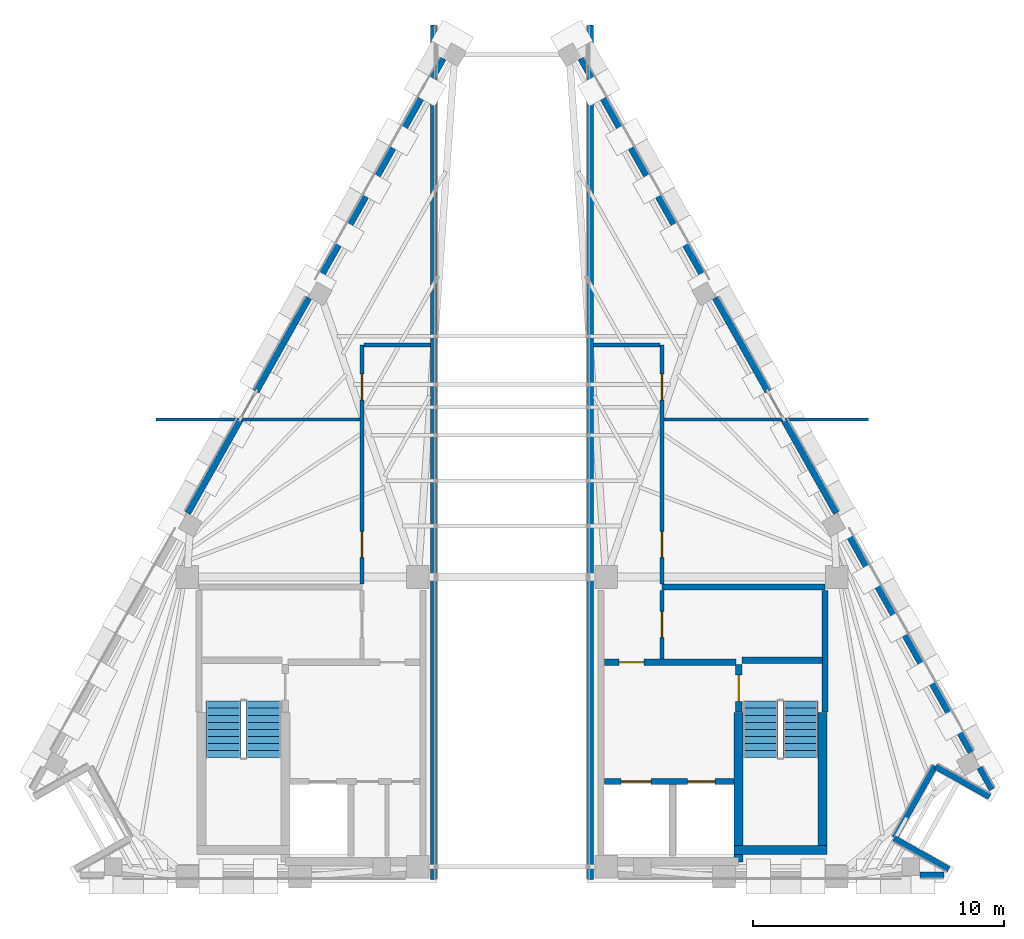
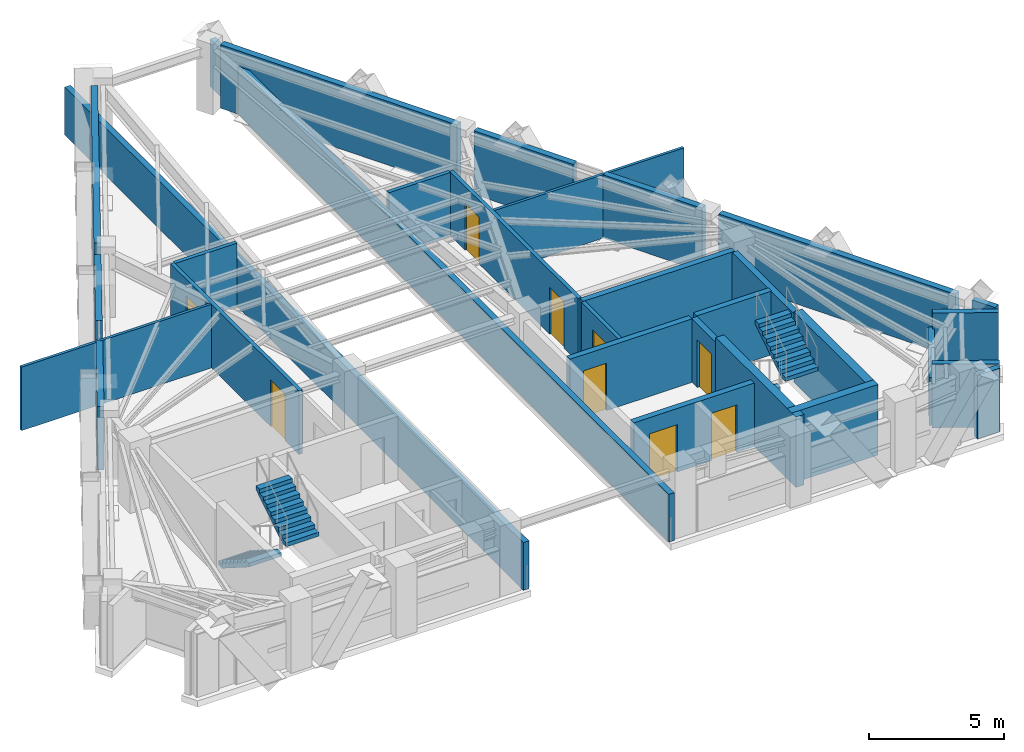
# One storey, part 4 of 6: 32 walls, 9 doors, 4 stair flights, 9 openings, 2 elements without a shape of their own.
"""IFC4 building model written with IfcOpenShell, lengths in metres."""

import ifcopenshell
import ifcopenshell.guid

model = None  # the IFC model being written
_history = None  # IfcOwnerHistory: only IFC2X3 demands one
_inside = {}  # id of a spatial element -> (the spatial element, [elements in it])
_under = {}  # id of a project, library or spatial element -> (it, [spatial elements below it])
_declared = {}  # id of a project -> (the project, [libraries it declares])
_typed = {}  # id of a type object -> (the type object, [elements of that type])
_made_of = {}  # id of a material, layer set ... -> (it, [elements and type objects made of it])


def new_model(schema):
    """Start an empty IFC model of exactly this schema.

    Asked for "IFC4X3", IfcOpenShell would pick the latest addendum, in which some entities
    have other attributes; the version numbers below select the first issue.
    IFC2X3 requires an IfcOwnerHistory on every rooted entity: one is made here for all.
    """
    global model, _history
    if schema == "IFC4X3":
        model = ifcopenshell.file(schema_version=(4, 3, 0, 0))
    else:
        model = ifcopenshell.file(schema=schema)
    _inside.clear()
    _under.clear()
    _declared.clear()
    _typed.clear()
    _made_of.clear()
    _history = None
    if model.schema == "IFC2X3":
        org = make("IfcOrganization", Name="unknown")
        user = make(
            "IfcPersonAndOrganization",
            ThePerson=make("IfcPerson", FamilyName="unknown"),
            TheOrganization=org,
        )
        app = make(
            "IfcApplication",
            ApplicationDeveloper=org,
            Version="unknown",
            ApplicationFullName="unknown",
            ApplicationIdentifier="unknown",
        )
        _history = make(
            "IfcOwnerHistory",
            OwningUser=user,
            OwningApplication=app,
            ChangeAction="ADDED",
            CreationDate=0,
        )
    return model


def make(cls, **values):
    """One entity of the class cls with the attributes given. An attribute that is None is left unset."""
    return model.create_entity(
        cls, **{name: value for name, value in values.items() if value is not None}
    )


def rooted(cls, **values):
    """An entity with a GlobalId (a new one), such as an element, a storey or a relation."""
    return make(cls, GlobalId=ifcopenshell.guid.new(), OwnerHistory=_history, **values)


def si_unit(unit_type, name, prefix=None):
    """IfcSIUnit, for example si_unit("LENGTHUNIT", "METRE", prefix="MILLI")."""
    return make("IfcSIUnit", UnitType=unit_type, Prefix=prefix, Name=name)


def assignment(units):
    """IfcUnitAssignment: the units of a project."""
    return None if units is None else make("IfcUnitAssignment", Units=units)


def point(xyz):
    """IfcCartesianPoint."""
    return None if xyz is None else make("IfcCartesianPoint", Coordinates=xyz)


def direction(xyz):
    """IfcDirection."""
    return None if xyz is None else make("IfcDirection", DirectionRatios=xyz)


def frame(location, z_axis=None, x_axis=None):
    """IfcAxis2Placement3D, a coordinate frame: its origin and axes. An axis left out is left unset."""
    return make(
        "IfcAxis2Placement3D",
        Location=point(location),
        Axis=direction(z_axis),
        RefDirection=direction(x_axis),
    )


def frame_2d(location, x_axis=None):
    """IfcAxis2Placement2D, a coordinate frame in the plane: its origin and x axis."""
    return make(
        "IfcAxis2Placement2D", Location=point(location), RefDirection=direction(x_axis)
    )


def origin():
    """The frame at (0, 0, 0) with its axes left unset."""
    return frame((0.0, 0.0, 0.0))


def place(relative_to, where):
    """IfcLocalPlacement: puts the frame where relative to a parent placement (None: the world)."""
    return make(
        "IfcLocalPlacement", PlacementRelTo=relative_to, RelativePlacement=where
    )


def context(
    kind, dimensions, precision=None, world=None, true_north=None, identifier=None
):
    """IfcGeometricRepresentationContext, for example the 3D "Model" context."""
    return make(
        "IfcGeometricRepresentationContext",
        ContextIdentifier=identifier,
        ContextType=kind,
        CoordinateSpaceDimension=dimensions,
        Precision=precision,
        WorldCoordinateSystem=world,
        TrueNorth=true_north,
    )


def subcontext(parent, identifier, kind, view, scale=None):
    """IfcGeometricRepresentationSubContext, for example "Body" below "Model"."""
    return make(
        "IfcGeometricRepresentationSubContext",
        ContextIdentifier=identifier,
        ContextType=kind,
        ParentContext=parent,
        TargetScale=scale,
        TargetView=view,
    )


def project(units=None, contexts=None):
    """IfcProject with its units and contexts."""
    return rooted(
        "IfcProject",
        Name="project",
        RepresentationContexts=contexts,
        UnitsInContext=assignment(units),
    )


def spatial(cls, under=None, at=None, **own):
    """A site, building, storey or space (cls), placed at a placement, below another one or the project."""
    s = rooted(cls, ObjectPlacement=at, **own)
    if under is not None:
        _under.setdefault(under.id(), (under, []))[1].append(s)
    return s


def polyline(points):
    """IfcPolyline through the points."""
    return make("IfcPolyline", Points=[point(p) for p in points])


def profile(cls, at=None, kind="AREA", **sizes):
    """A parametric profile (cls). Its sizes go by their IFC names, for example OverallWidth=200.0."""
    return make(cls, ProfileType=kind, Position=at, **sizes)


def rectangle(**sizes):
    """IfcRectangleProfileDef."""
    return profile("IfcRectangleProfileDef", **sizes)


def outline(outer, holes=None, kind="AREA"):
    """IfcArbitraryClosedProfileDef: a profile drawn as a closed curve; with holes, ...WithVoids."""
    if holes is None:
        return make("IfcArbitraryClosedProfileDef", ProfileType=kind, OuterCurve=outer)
    return make(
        "IfcArbitraryProfileDefWithVoids",
        ProfileType=kind,
        OuterCurve=outer,
        InnerCurves=holes,
    )


def extrude(swept, where, along, depth):
    """IfcExtrudedAreaSolid: the profile swept, set in the frame where, extruded along a direction by depth."""
    return make(
        "IfcExtrudedAreaSolid",
        SweptArea=swept,
        Position=where,
        ExtrudedDirection=direction(along),
        Depth=depth,
    )


def shape(context_of_items, identifier, shape_type, items):
    """IfcShapeRepresentation: the items that make up one representation, for example the "Body"."""
    return make(
        "IfcShapeRepresentation",
        ContextOfItems=context_of_items,
        RepresentationIdentifier=identifier,
        RepresentationType=shape_type,
        Items=items,
    )


def material(Name=None, Category=None):
    """IfcMaterial."""
    return make("IfcMaterial", Name=Name, Category=Category)


def layer(
    of_material, thickness, ventilated=None, Name=None, Category=None, Priority=None
):
    """IfcMaterialLayer: one layer of a wall or slab, of a material (None: an air gap)."""
    return make(
        "IfcMaterialLayer",
        Material=of_material,
        LayerThickness=thickness,
        IsVentilated=ventilated,
        Name=Name,
        Category=Category,
        Priority=Priority,
    )


def layer_set(layers, Name=None):
    """IfcMaterialLayerSet."""
    return make("IfcMaterialLayerSet", MaterialLayers=layers, LayerSetName=Name)


def made_of(thing, what):
    """Note that an element or type object is made of a material, layer set ...; save() writes the relation."""
    if what is not None:
        _made_of.setdefault(what.id(), (what, []))[1].append(thing)
    return thing


def type_object(cls, material=None, **own):
    """A type object (cls), such as IfcWallType, which elements share."""
    return made_of(rooted(cls, **own), material)


def element(
    cls,
    number,
    at=None,
    inside=None,
    cuts=None,
    type_object=None,
    material=None,
    context=None,
    identifier="Body",
    shape_type=None,
    held_by="IfcProductDefinitionShape",
    body=None,
    shapes=None,
    **own,
):
    """One element of the class cls, such as IfcWall. Its Tag is "e" and its number.

    at: its placement. inside: the storey or other place that contains it. cuts: it is an
    opening in that element (IfcRelVoidsElement). A single representation is given by context,
    identifier, shape_type and body (its items); several are given by shapes. held_by: the class
    of the entity that holds the representations. save() writes the other relations.
    """
    e = rooted(cls, Tag="e%d" % number, ObjectPlacement=at, **own)
    if body is not None:
        shapes = [shape(context, identifier, shape_type, body)]
    if shapes is not None:
        e.Representation = make(held_by, Representations=shapes)
    if inside is not None:
        _inside.setdefault(inside.id(), (inside, []))[1].append(e)
    if cuts is not None:
        rooted(
            "IfcRelVoidsElement", RelatingBuildingElement=cuts, RelatedOpeningElement=e
        )
    if type_object is not None:
        _typed.setdefault(type_object.id(), (type_object, []))[1].append(e)
    return made_of(e, material)


def fill(opening, filler):
    """IfcRelFillsElement: the door or window that sits in an opening."""
    return rooted(
        "IfcRelFillsElement",
        RelatingOpeningElement=opening,
        RelatedBuildingElement=filler,
    )


def aggregate(whole, parts):
    """IfcRelAggregates: a whole, such as a stair, and the parts it consists of."""
    return rooted("IfcRelAggregates", RelatingObject=whole, RelatedObjects=parts)


def save(model, path):
    """Write the relations noted so far, then the file.

    IfcRelAggregates (storeys below a building ...), IfcRelContainedInSpatialStructure (elements
    in a storey), IfcRelDefinesByType, IfcRelAssociatesMaterial and IfcRelDeclares: one each for
    every whole, place, type object, material and project.
    """
    for whole, parts in _under.values():
        aggregate(whole, parts)
    for where, things in _inside.values():
        rooted(
            "IfcRelContainedInSpatialStructure",
            RelatedElements=things,
            RelatingStructure=where,
        )
    for kind, things in _typed.values():
        rooted("IfcRelDefinesByType", RelatedObjects=things, RelatingType=kind)
    for what, things in _made_of.values():
        rooted("IfcRelAssociatesMaterial", RelatedObjects=things, RelatingMaterial=what)
    for by, libraries in _declared.values():
        rooted("IfcRelDeclares", RelatingContext=by, RelatedDefinitions=libraries)
    model.write(path)


model = new_model("IFC4")

# Units and contexts
model_context = context("Model", 3, precision=1e-05, world=origin(), true_north=direction((0.0, 1.0)))
body_context = subcontext(model_context, "Body", "Model", "MODEL_VIEW")
ifc_project = project(units=[si_unit("LENGTHUNIT", "METRE"), si_unit("AREAUNIT", "SQUARE_METRE"), si_unit("VOLUMEUNIT", "CUBIC_METRE"), si_unit("PLANEANGLEUNIT", "RADIAN"), si_unit("MASSUNIT", "GRAM", prefix="KILO")], contexts=[model_context])

# Site, building, storey
site_placement = place(None, origin())
site = spatial("IfcSite", under=ifc_project, at=site_placement, CompositionType="ELEMENT")
building_placement = place(site_placement, origin())
building = spatial("IfcBuilding", under=site, at=building_placement, Name="Quenlor Broadcast Tower", CompositionType="ELEMENT")
storey_placement = place(building_placement, frame((0.0, 0.0, 277.300048828125)))
storey = spatial("IfcBuildingStorey", under=building, at=storey_placement, Name="L77", CompositionType="ELEMENT", Elevation=277.300048828125)

# Walls
ifc_material_1 = material(Name="Concrete C50/60", Category="concrete")
ifc_layer_1 = layer(ifc_material_1, 0.35009765625)
ifc_layer_set_1 = layer_set([ifc_layer_1], Name="Core Concrete C50/60 Shear Wall 350")
wall_type_1 = type_object("IfcWallType", Name="Core Concrete C50/60 Shear Wall 350", PredefinedType="SHEAR", material=ifc_layer_set_1)
wall_1_placement = place(storey_placement, frame((8.85009765625, -15.675048828125, 0.0), z_axis=(0.0, 0.0, 1.0), x_axis=(1.0, 0.0, 0.0)))
element("IfcWall", 1, at=wall_1_placement, inside=storey, type_object=wall_type_1, Name="L77 Core Shear Wall WS-E2", PredefinedType="SHEAR", context=body_context, shape_type="SweptSolid", body=[
    extrude(rectangle(XDim=3.699951171875, YDim=0.35009765625, at=frame_2d((1.85009765625, 0.0))), origin(), (0.0, 0.0, 1.0), 3.199951171875),
])
wall_2_placement = place(storey_placement, frame((12.375, -15.675048828125, 0.0), z_axis=(0.0, 0.0, 1.0), x_axis=(0.0, 1.0, 0.0)))
element("IfcWall", 2, at=wall_2_placement, inside=storey, type_object=wall_type_1, Name="L77 Core Shear Wall WF-E", PredefinedType="SHEAR", context=body_context, shape_type="SweptSolid", body=[
    extrude(rectangle(XDim=5.47509765625, YDim=0.35009765625, at=frame_2d((2.737548828125, 0.0))), origin(), (0.0, 0.0, 1.0), 3.199951171875),
])
wall_3_placement = place(storey_placement, frame((9.02490234375, -16.14990234375, 0.0), z_axis=(0.0, 0.0, 1.0), x_axis=(0.0, 1.0, 0.0)))
element("IfcWall", 3, at=wall_3_placement, inside=storey, type_object=wall_type_1, Name="L77 Core Shear Wall WI-E", PredefinedType="SHEAR", context=body_context, shape_type="SweptSolid", body=[
    extrude(rectangle(XDim=5.949951171875, YDim=0.35009765625, at=frame_2d((2.97509765625, 0.0))), origin(), (0.0, 0.0, 1.0), 3.199951171875),
])

# Wall, opening, door
ifc_material_2 = material(Name="Concrete C40/50", Category="concrete")
ifc_layer_2 = layer(ifc_material_2, 0.25)
ifc_layer_set_2 = layer_set([ifc_layer_2], Name="Fire Rated Concrete C40/50 Core Wall 250")
wall_type_2 = type_object("IfcWallType", Name="Fire Rated Concrete C40/50 Core Wall 250", PredefinedType="PARTITIONING", material=ifc_layer_set_2)
wall_4_placement = place(storey_placement, frame((9.0400390625, -10.179931640625, 0.0), z_axis=(0.0, 0.0, 1.0), x_axis=(0.0, 1.0, 0.0)))
wall_4 = element("IfcWall", 4, at=wall_4_placement, inside=storey, type_object=wall_type_2, Name="L77 Interior Wall CW-ST2-DR", PredefinedType="PARTITIONING", context=body_context, shape_type="SweptSolid", body=[
    extrude(rectangle(XDim=1.89990234375, YDim=0.25, at=frame_2d((0.949951171875, 0.0))), origin(), (0.0, 0.0, 1.0), 2.8798828125),
])
opening_1_placement = place(wall_4_placement, frame((0.419921875, 0.0, 0.0)))
opening_1 = element("IfcOpeningElement", 5, at=opening_1_placement, cuts=wall_4, Name="Opening FD-1", PredefinedType="OPENING", context=body_context, shape_type="SweptSolid", body=[
    extrude(rectangle(XDim=1.050048828125, YDim=2.14990234375, at=frame_2d((0.52490234375, 1.074951171875))), frame((0.0, 0.135009765625, 0.0), z_axis=(0.0, -1.0, 0.0), x_axis=(1.0, 0.0, 0.0)), (0.0, 0.0, 1.0), 0.27001953125),
])
ifc_material_3 = material(Name="Fire Rated Steel Door Leaf", Category="steel")
door_type_1 = type_object("IfcDoorType", Name="Fire Isolated Stair Door 1050x2150", OperationType="NOTDEFINED", PredefinedType="DOOR", material=ifc_material_3)
door_1_placement = place(opening_1_placement, origin())
door_1 = element("IfcDoor", 6, at=door_1_placement, inside=storey, type_object=door_type_1, Name="L77 Door DR-ST2", OperationType="SINGLE_SWING_RIGHT", OverallHeight=2.14990234375, OverallWidth=1.050048828125, PredefinedType="DOOR", context=body_context, shape_type="SweptSolid", body=[
    extrude(rectangle(XDim=1.050048828125, YDim=2.14990234375, at=frame_2d((0.52490234375, 1.074951171875))), frame((0.0, 0.02490234375, 0.0), z_axis=(0.0, -1.0, 0.0), x_axis=(1.0, 0.0, 0.0)), (0.0, 0.0, 1.0), 0.050048828125),
])
fill(opening_1, door_1)

# Walls
wall_5_placement = place(storey_placement, frame((9.159912109375, -8.1201171875, 0.0), z_axis=(0.0, 0.0, 1.0), x_axis=(1.0, 0.0, 0.0)))
element("IfcWall", 7, at=wall_5_placement, inside=storey, type_object=wall_type_2, Name="L77 Interior Wall CW-ST2-N", PredefinedType="PARTITIONING", context=body_context, shape_type="SweptSolid", body=[
    extrude(rectangle(XDim=3.219970703125, YDim=0.25, at=frame_2d((1.60986328125, 0.0))), origin(), (0.0, 0.0, 1.0), 2.8798828125),
])
wall_6_placement = place(storey_placement, frame((12.47998046875, -10.179931640625, 0.0), z_axis=(0.0, 0.0, 1.0), x_axis=(0.0, 1.0, 0.0)))
element("IfcWall", 8, at=wall_6_placement, inside=storey, type_object=wall_type_2, Name="L77 Interior Wall CW-ST2-E2", PredefinedType="PARTITIONING", context=body_context, shape_type="SweptSolid", body=[
    extrude(rectangle(XDim=4.83984375, YDim=0.25, at=frame_2d((2.419921875, 0.0))), origin(), (0.0, 0.0, 1.0), 2.8798828125),
])

# Wall, openings, doors
wall_7_placement = place(storey_placement, frame((3.679931640625, -12.949951171875, 0.0), z_axis=(0.0, 0.0, 1.0), x_axis=(1.0, 0.0, 0.0)))
wall_7 = element("IfcWall", 9, at=wall_7_placement, inside=storey, type_object=wall_type_2, Name="L77 Interior Wall CW-FFE-S", PredefinedType="PARTITIONING", context=body_context, shape_type="SweptSolid", body=[
    extrude(rectangle(XDim=5.16796875, YDim=0.25, at=frame_2d((2.583984375, 0.0))), origin(), (0.0, 0.0, 1.0), 2.8798828125),
])
opening_2_placement = place(wall_7_placement, frame((3.320068359375, 0.0, 0.0)))
opening_2 = element("IfcOpeningElement", 10, at=opening_2_placement, cuts=wall_7, Name="Opening LD-FFL-2", PredefinedType="OPENING", context=body_context, shape_type="SweptSolid", body=[
    extrude(rectangle(XDim=1.10009765625, YDim=2.14990234375, at=frame_2d((0.550048828125, 1.074951171875))), frame((0.0, 0.135009765625, 0.0), z_axis=(0.0, -1.0, 0.0), x_axis=(1.0, 0.0, 0.0)), (0.0, 0.0, 1.0), 0.27001953125),
])
opening_3_placement = place(wall_7_placement, frame((0.669921875, 0.0, 0.0)))
opening_3 = element("IfcOpeningElement", 11, at=opening_3_placement, cuts=wall_7, Name="Opening LD-SVL-1", PredefinedType="OPENING", context=body_context, shape_type="SweptSolid", body=[
    extrude(rectangle(XDim=1.199951171875, YDim=2.14990234375, at=frame_2d((0.60009765625, 1.074951171875))), frame((0.0, 0.135009765625, 0.0), z_axis=(0.0, -1.0, 0.0), x_axis=(1.0, 0.0, 0.0)), (0.0, 0.0, 1.0), 0.27001953125),
])
ifc_material_4 = material(Name="Brushed Stainless Steel", Category="steel")
door_type_2 = type_object("IfcDoorType", Name="Emergency Lift Sliding Landing Door 1100x2150", OperationType="NOTDEFINED", PredefinedType="DOOR", material=ifc_material_4)
door_2_placement = place(opening_2_placement, origin())
door_2 = element("IfcDoor", 12, at=door_2_placement, inside=storey, type_object=door_type_2, Name="L77 Door LD-FFL-2", OperationType="SLIDING_TO_RIGHT", OverallHeight=2.14990234375, OverallWidth=1.10009765625, PredefinedType="DOOR", context=body_context, shape_type="SweptSolid", body=[
    extrude(rectangle(XDim=1.10009765625, YDim=2.14990234375, at=frame_2d((0.550048828125, 1.074951171875))), frame((0.0, 0.02490234375, 0.0), z_axis=(0.0, -1.0, 0.0), x_axis=(1.0, 0.0, 0.0)), (0.0, 0.0, 1.0), 0.050048828125),
])
fill(opening_2, door_2)
ifc_material_5 = material(Name="Brushed Stainless Steel", Category="steel")
door_type_3 = type_object("IfcDoorType", Name="Goods Lift Sliding Landing Door 1200x2150", OperationType="NOTDEFINED", PredefinedType="DOOR", material=ifc_material_5)
door_3_placement = place(opening_3_placement, origin())
door_3 = element("IfcDoor", 13, at=door_3_placement, inside=storey, type_object=door_type_3, Name="L77 Door LD-SVL-1", OperationType="SLIDING_TO_LEFT", OverallHeight=2.14990234375, OverallWidth=1.199951171875, PredefinedType="DOOR", context=body_context, shape_type="SweptSolid", body=[
    extrude(rectangle(XDim=1.199951171875, YDim=2.14990234375, at=frame_2d((0.60009765625, 1.074951171875))), frame((0.0, 0.02490234375, 0.0), z_axis=(0.0, -1.0, 0.0), x_axis=(1.0, 0.0, 0.0)), (0.0, 0.0, 1.0), 0.050048828125),
])
fill(opening_3, door_3)

# Wall, opening, door
wall_8_placement = place(storey_placement, frame((3.679931640625, -8.199951171875, 0.0), z_axis=(0.0, 0.0, 1.0), x_axis=(1.0, 0.0, 0.0)))
wall_8 = element("IfcWall", 14, at=wall_8_placement, inside=storey, type_object=wall_type_2, Name="L77 Interior Wall CW-FFE-N", PredefinedType="PARTITIONING", context=body_context, shape_type="SweptSolid", body=[
    extrude(rectangle(XDim=5.239990234375, YDim=0.25, at=frame_2d((2.6201171875, 0.0))), origin(), (0.0, 0.0, 1.0), 2.8798828125),
])
opening_4_placement = place(wall_8_placement, frame((0.580078125, 0.0, 0.0)))
opening_4 = element("IfcOpeningElement", 15, at=opening_4_placement, cuts=wall_8, Name="Opening FD-2", PredefinedType="OPENING", context=body_context, shape_type="SweptSolid", body=[
    extrude(rectangle(XDim=1.0, YDim=2.14990234375, at=frame_2d((0.5, 1.074951171875))), frame((0.0, 0.135009765625, 0.0), z_axis=(0.0, -1.0, 0.0), x_axis=(1.0, 0.0, 0.0)), (0.0, 0.0, 1.0), 0.27001953125),
])
ifc_material_6 = material(Name="Fire Rated Glazed Steel Door", Category="steel")
door_type_4 = type_object("IfcDoorType", Name="Firefighting Lobby Smoke Door 1000x2150", OperationType="NOTDEFINED", PredefinedType="DOOR", material=ifc_material_6)
door_4_placement = place(opening_4_placement, origin())
door_4 = element("IfcDoor", 16, at=door_4_placement, inside=storey, type_object=door_type_4, Name="L77 Door DR-FFLE", OperationType="SINGLE_SWING_RIGHT", OverallHeight=2.14990234375, OverallWidth=1.0, PredefinedType="DOOR", context=body_context, shape_type="SweptSolid", body=[
    extrude(rectangle(XDim=1.0, YDim=2.14990234375, at=frame_2d((0.5, 1.074951171875))), frame((0.0, 0.02490234375, 0.0), z_axis=(0.0, -1.0, 0.0), x_axis=(1.0, 0.0, 0.0)), (0.0, 0.0, 1.0), 0.050048828125),
])
fill(opening_4, door_4)

# Wall
wall_9_placement = place(storey_placement, frame((5.97998046875, -5.199951171875, 0.0), z_axis=(0.0, 0.0, 1.0), x_axis=(1.0, 0.0, 0.0)))
element("IfcWall", 17, at=wall_9_placement, inside=storey, type_object=wall_type_2, Name="L77 Interior Wall CW-N-E", PredefinedType="PARTITIONING", context=body_context, shape_type="SweptSolid", body=[
    extrude(rectangle(XDim=6.5, YDim=0.25, at=frame_2d((3.25, 0.0))), origin(), (0.0, 0.0, 1.0), 2.8798828125),
])

# Wall, opening, door
ifc_material_7 = material(Name="Gypsum Fireboard Partition", Category="other")
ifc_layer_3 = layer(ifc_material_7, 0.159912109375)
ifc_layer_set_3 = layer_set([ifc_layer_3], Name="Fire Rated Shaft and Corridor Partition 160")
wall_type_3 = type_object("IfcWallType", Name="Fire Rated Shaft and Corridor Partition 160", PredefinedType="PARTITIONING", material=ifc_layer_set_3)
wall_10_placement = place(storey_placement, frame((5.97998046875, -8.072998046875, 0.0), z_axis=(0.0, 0.0, 1.0), x_axis=(0.0, 1.0, 0.0)))
wall_10 = element("IfcWall", 18, at=wall_10_placement, inside=storey, type_object=wall_type_3, Name="L77 Interior Wall CW-CRNEQE-W", PredefinedType="PARTITIONING", context=body_context, shape_type="SweptSolid", body=[
    extrude(rectangle(XDim=2.74609375, YDim=0.159912109375, at=frame_2d((1.373046875, 0.0))), origin(), (0.0, 0.0, 1.0), 2.8798828125),
])
opening_5_placement = place(wall_10_placement, frame((0.85302734375, 0.0, 0.0)))
opening_5 = element("IfcOpeningElement", 19, at=opening_5_placement, cuts=wall_10, Name="Opening FD-3", PredefinedType="OPENING", context=body_context, shape_type="SweptSolid", body=[
    extrude(rectangle(XDim=1.050048828125, YDim=2.1201171875, at=frame_2d((0.52490234375, 1.06005859375))), frame((0.0, 0.08984375, 0.0), z_axis=(0.0, -1.0, 0.0), x_axis=(1.0, 0.0, 0.0)), (0.0, 0.0, 1.0), 0.179931640625),
])
ifc_material_8 = material(Name="Galvanised Fire Steel Leaf", Category="steel")
door_type_5 = type_object("IfcDoorType", Name="Plant Room Fire Rated Door 1050x2120", OperationType="NOTDEFINED", PredefinedType="DOOR", material=ifc_material_8)
door_5_placement = place(opening_5_placement, origin())
door_5 = element("IfcDoor", 20, at=door_5_placement, inside=storey, type_object=door_type_5, Name="L77 Door DR-RCH1", OperationType="SINGLE_SWING_LEFT", OverallHeight=2.1201171875, OverallWidth=1.050048828125, PredefinedType="DOOR", context=body_context, shape_type="SweptSolid", body=[
    extrude(rectangle(XDim=1.050048828125, YDim=2.1201171875, at=frame_2d((0.52490234375, 1.06005859375))), frame((0.0, 0.02490234375, 0.0), z_axis=(0.0, -1.0, 0.0), x_axis=(1.0, 0.0, 0.0)), (0.0, 0.0, 1.0), 0.050048828125),
])
fill(opening_5, door_5)

# Wall, openings, doors
wall_11_placement = place(storey_placement, frame((-5.97998046875, -5.072998046875, 0.0), z_axis=(0.0, 0.0, 1.0), x_axis=(0.0, 1.0, 0.0)))
wall_11 = element("IfcWall", 21, at=wall_11_placement, inside=storey, type_object=wall_type_3, Name="L77 Interior Wall PW-WP-WCW", PredefinedType="PARTITIONING", context=body_context, shape_type="SweptSolid", body=[
    extrude(rectangle(XDim=9.52294921875, YDim=0.159912109375, at=frame_2d((4.761474609375, 0.0))), origin(), (0.0, 0.0, 1.0), 2.8798828125),
])
opening_6_placement = place(wall_11_placement, frame((1.04296875, 0.0, 0.0)))
opening_6 = element("IfcOpeningElement", 22, at=opening_6_placement, cuts=wall_11, Name="Opening FD-3", PredefinedType="OPENING", context=body_context, shape_type="SweptSolid", body=[
    extrude(rectangle(XDim=1.050048828125, YDim=2.1201171875, at=frame_2d((0.52490234375, 1.06005859375))), frame((0.0, 0.08984375, 0.0), z_axis=(0.0, -1.0, 0.0), x_axis=(1.0, 0.0, 0.0)), (0.0, 0.0, 1.0), 0.179931640625),
])
opening_7_placement = place(wall_11_placement, frame((7.322998046875, 0.0, 0.0)))
opening_7 = element("IfcOpeningElement", 23, at=opening_7_placement, cuts=wall_11, Name="Opening FD-3", PredefinedType="OPENING", context=body_context, shape_type="SweptSolid", body=[
    extrude(rectangle(XDim=1.050048828125, YDim=2.1201171875, at=frame_2d((0.52490234375, 1.06005859375))), frame((0.0, 0.08984375, 0.0), z_axis=(0.0, -1.0, 0.0), x_axis=(1.0, 0.0, 0.0)), (0.0, 0.0, 1.0), 0.179931640625),
])
door_6_placement = place(opening_6_placement, origin())
door_6 = element("IfcDoor", 24, at=door_6_placement, inside=storey, type_object=door_type_5, Name="L77 Door DR-WP1", OperationType="SINGLE_SWING_LEFT", OverallHeight=2.1201171875, OverallWidth=1.050048828125, PredefinedType="DOOR", context=body_context, shape_type="SweptSolid", body=[
    extrude(rectangle(XDim=1.050048828125, YDim=2.1201171875, at=frame_2d((0.52490234375, 1.06005859375))), frame((0.0, 0.02490234375, 0.0), z_axis=(0.0, -1.0, 0.0), x_axis=(1.0, 0.0, 0.0)), (0.0, 0.0, 1.0), 0.050048828125),
])
fill(opening_6, door_6)
door_7_placement = place(opening_7_placement, origin())
door_7 = element("IfcDoor", 25, at=door_7_placement, inside=storey, type_object=door_type_5, Name="L77 Door DR-WP3", OperationType="SINGLE_SWING_LEFT", OverallHeight=2.1201171875, OverallWidth=1.050048828125, PredefinedType="DOOR", context=body_context, shape_type="SweptSolid", body=[
    extrude(rectangle(XDim=1.050048828125, YDim=2.1201171875, at=frame_2d((0.52490234375, 1.06005859375))), frame((0.0, 0.02490234375, 0.0), z_axis=(0.0, -1.0, 0.0), x_axis=(1.0, 0.0, 0.0)), (0.0, 0.0, 1.0), 0.050048828125),
])
fill(opening_7, door_7)

# Wall
wall_12_placement = place(storey_placement, frame((-5.89794921875, 4.449951171875, 0.0), z_axis=(0.0, 0.0, 1.0), x_axis=(1.0, 0.0, 0.0)))
element("IfcWall", 26, at=wall_12_placement, inside=storey, type_object=wall_type_3, Name="L77 Interior Wall PW-WP-WCN", PredefinedType="PARTITIONING", context=body_context, shape_type="SweptSolid", body=[
    extrude(rectangle(XDim=2.64794921875, YDim=0.159912109375, at=frame_2d((1.323974609375, 0.0))), origin(), (0.0, 0.0, 1.0), 2.8798828125),
])

# Wall, openings, doors
wall_13_placement = place(storey_placement, frame((5.97998046875, -5.072998046875, 0.0), z_axis=(0.0, 0.0, 1.0), x_axis=(0.0, 1.0, 0.0)))
wall_13 = element("IfcWall", 27, at=wall_13_placement, inside=storey, type_object=wall_type_3, Name="L77 Interior Wall PW-WP-ECE", PredefinedType="PARTITIONING", context=body_context, shape_type="SweptSolid", body=[
    extrude(rectangle(XDim=9.52294921875, YDim=0.159912109375, at=frame_2d((4.761474609375, 0.0))), origin(), (0.0, 0.0, 1.0), 2.8798828125),
])
opening_8_placement = place(wall_13_placement, frame((1.04296875, 0.0, 0.0)))
opening_8 = element("IfcOpeningElement", 28, at=opening_8_placement, cuts=wall_13, Name="Opening FD-3", PredefinedType="OPENING", context=body_context, shape_type="SweptSolid", body=[
    extrude(rectangle(XDim=1.050048828125, YDim=2.1201171875, at=frame_2d((0.52490234375, 1.06005859375))), frame((0.0, 0.08984375, 0.0), z_axis=(0.0, -1.0, 0.0), x_axis=(1.0, 0.0, 0.0)), (0.0, 0.0, 1.0), 0.179931640625),
])
opening_9_placement = place(wall_13_placement, frame((7.322998046875, 0.0, 0.0)))
opening_9 = element("IfcOpeningElement", 29, at=opening_9_placement, cuts=wall_13, Name="Opening FD-3", PredefinedType="OPENING", context=body_context, shape_type="SweptSolid", body=[
    extrude(rectangle(XDim=1.050048828125, YDim=2.1201171875, at=frame_2d((0.52490234375, 1.06005859375))), frame((0.0, 0.08984375, 0.0), z_axis=(0.0, -1.0, 0.0), x_axis=(1.0, 0.0, 0.0)), (0.0, 0.0, 1.0), 0.179931640625),
])
door_8_placement = place(opening_8_placement, origin())
door_8 = element("IfcDoor", 30, at=door_8_placement, inside=storey, type_object=door_type_5, Name="L77 Door DR-WP2", OperationType="SINGLE_SWING_RIGHT", OverallHeight=2.1201171875, OverallWidth=1.050048828125, PredefinedType="DOOR", context=body_context, shape_type="SweptSolid", body=[
    extrude(rectangle(XDim=1.050048828125, YDim=2.1201171875, at=frame_2d((0.52490234375, 1.06005859375))), frame((0.0, 0.02490234375, 0.0), z_axis=(0.0, -1.0, 0.0), x_axis=(1.0, 0.0, 0.0)), (0.0, 0.0, 1.0), 0.050048828125),
])
fill(opening_8, door_8)
door_9_placement = place(opening_9_placement, origin())
door_9 = element("IfcDoor", 31, at=door_9_placement, inside=storey, type_object=door_type_5, Name="L77 Door DR-WP4", OperationType="SINGLE_SWING_RIGHT", OverallHeight=2.1201171875, OverallWidth=1.050048828125, PredefinedType="DOOR", context=body_context, shape_type="SweptSolid", body=[
    extrude(rectangle(XDim=1.050048828125, YDim=2.1201171875, at=frame_2d((0.52490234375, 1.06005859375))), frame((0.0, 0.02490234375, 0.0), z_axis=(0.0, -1.0, 0.0), x_axis=(1.0, 0.0, 0.0)), (0.0, 0.0, 1.0), 0.050048828125),
])
fill(opening_9, door_9)

# Walls
wall_14_placement = place(storey_placement, frame((3.25, 4.449951171875, 0.0), z_axis=(0.0, 0.0, 1.0), x_axis=(1.0, 0.0, 0.0)))
element("IfcWall", 32, at=wall_14_placement, inside=storey, type_object=wall_type_3, Name="L77 Interior Wall PW-WP-ECN", PredefinedType="PARTITIONING", context=body_context, shape_type="SweptSolid", body=[
    extrude(rectangle(XDim=2.64794921875, YDim=0.159912109375, at=frame_2d((1.323974609375, 0.0))), origin(), (0.0, 0.0, 1.0), 2.8798828125),
])
ifc_material_9 = material(Name="Gypsum Plasterboard Partition", Category="other")
ifc_layer_4 = layer(ifc_material_9, 0.1201171875)
ifc_layer_set_4 = layer_set([ifc_layer_4], Name="Standard Office Partition 120")
wall_type_4 = type_object("IfcWallType", Name="Standard Office Partition 120", PredefinedType="PARTITIONING", material=ifc_layer_set_4)
wall_15_placement = place(storey_placement, frame((-14.199951171875, 1.469970703125, 0.0), z_axis=(0.0, 0.0, 1.0), x_axis=(1.0, 0.0, 0.0)))
element("IfcWall", 33, at=wall_15_placement, inside=storey, type_object=wall_type_4, Name="L77 Interior Wall PW-WP-WH", PredefinedType="PARTITIONING", context=body_context, shape_type="SweptSolid", body=[
    extrude(rectangle(XDim=3.210693359375, YDim=0.1201171875, at=frame_2d((1.60546875, 0.0))), origin(), (0.0, 0.0, 1.0), 2.8798828125),
])
for number, where, z_axis, x_axis, name in (
    (34, (-10.802490234375, 1.469970703125, 0.0), (0.0, 0.0, 1.0), (1.0, 0.0, 0.0), "L77 Interior Wall PW-WP-WHS2"),
    (35, (6.06201171875, 1.469970703125, 0.0), (0.0, 0.0, 1.0), (1.0, 0.0, 0.0), "L77 Interior Wall PW-WP-EH"),
):
    element("IfcWall", number, at=place(storey_placement, frame(where, z_axis=z_axis, x_axis=x_axis)), inside=storey, type_object=wall_type_4, Name=name, PredefinedType="PARTITIONING", context=body_context, shape_type="SweptSolid", body=[
        extrude(rectangle(XDim=4.740478515625, YDim=0.1201171875, at=frame_2d((2.3701171875, 0.0))), origin(), (0.0, 0.0, 1.0), 2.8798828125),
    ])
wall_16_placement = place(storey_placement, frame((10.9892578125, 1.469970703125, 0.0), z_axis=(0.0, 0.0, 1.0), x_axis=(1.0, 0.0, 0.0)))
element("IfcWall", 36, at=wall_16_placement, inside=storey, type_object=wall_type_4, Name="L77 Interior Wall PW-WP-EHS2", PredefinedType="PARTITIONING", context=body_context, shape_type="SweptSolid", body=[
    extrude(rectangle(XDim=3.210693359375, YDim=0.1201171875, at=frame_2d((1.60546875, 0.0))), origin(), (0.0, 0.0, 1.0), 2.8798828125),
])
ifc_material_10 = material(Name="Precast concrete C40/50", Category="concrete")
ifc_layer_5 = layer(ifc_material_10, 0.239990234375)
ifc_layer_set_5 = layer_set([ifc_layer_5], Name="Terrace Threshold Precast Concrete C40/50 Wall 240")
wall_type_5 = type_object("IfcWallType", Name="Terrace Threshold Precast Concrete C40/50 Wall 240", PredefinedType="STANDARD", material=ifc_layer_set_5)
wall_17_placement = place(storey_placement, frame((17.219970703125, -16.675048828125, 0.0), z_axis=(0.0, 0.0, 1.0), x_axis=(-1.0, 0.0, 0.0)))
element("IfcWall", 37, at=wall_17_placement, inside=storey, type_object=wall_type_5, Name="L77 Exterior Wall L77-SHD-SS0", PredefinedType="STANDARD", context=body_context, shape_type="SweptSolid", body=[
    extrude(rectangle(XDim=0.96728515625, YDim=0.239990234375, at=frame_2d((0.483642578125, 0.0))), origin(), (0.0, 0.0, 1.0), 2.8798828125),
])
wall_18_placement = place(storey_placement, frame((18.639404296875, -12.39990234375, 0.0), z_axis=(0.0, 0.0, 1.0), x_axis=(0.490261239633, -0.871575537125, 0.0)))
element("IfcWall", 38, at=wall_18_placement, inside=storey, type_object=wall_type_5, Name="L77 Exterior Wall L77-SHD-NES1", PredefinedType="STANDARD", context=body_context, shape_type="SweptSolid", body=[
    extrude(rectangle(XDim=0.994873046875, YDim=0.239990234375, at=frame_2d((0.49755859375, 0.0))), origin(), (0.0, 0.0, 1.0), 2.8798828125),
])
wall_19_placement = place(storey_placement, frame((17.40771484375, -16.446533203125, 0.0), z_axis=(0.0, 0.0, 1.0), x_axis=(-0.871588577066, 0.490238056792, 0.0)))
element("IfcWall", 39, at=wall_19_placement, inside=storey, type_object=wall_type_5, Name="L77 Exterior Wall L77-CNR-01", PredefinedType="STANDARD", context=body_context, shape_type="SweptSolid", body=[
    extrude(rectangle(XDim=2.5, YDim=0.239990234375, at=frame_2d((1.25, 0.0))), origin(), (0.0, 0.0, 1.0), 2.8798828125),
])
wall_20_placement = place(storey_placement, frame((15.248291015625, -15.18603515625, 0.0), z_axis=(0.0, 0.0, 1.0), x_axis=(0.490293083368, 0.871557624258, 0.0)))
element("IfcWall", 40, at=wall_20_placement, inside=storey, type_object=wall_type_5, Name="L77 Exterior Wall L77-CNR-02", PredefinedType="STANDARD", context=body_context, shape_type="SweptSolid", body=[
    extrude(rectangle(XDim=3.276123046875, YDim=0.239990234375, at=frame_2d((1.63818359375, 0.0))), origin(), (0.0, 0.0, 1.0), 2.1640625),
])
wall_21_placement = place(storey_placement, frame((16.889404296875, -12.350341796875, 0.0), z_axis=(0.0, 0.0, 1.0), x_axis=(0.87157023615, -0.490270663468, 0.0)))
element("IfcWall", 41, at=wall_21_placement, inside=storey, type_object=wall_type_5, Name="L77 Exterior Wall L77-CNR-03", PredefinedType="STANDARD", context=body_context, shape_type="SweptSolid", body=[
    extrude(rectangle(XDim=2.4599609375, YDim=0.239990234375, at=frame_2d((1.22998046875, 0.0))), origin(), (0.0, 0.0, 1.0), 2.8798828125),
])
for number, where, z_axis, x_axis, name in (
    (42, (-3.1201171875, 17.199951171875, 0.0), (0.0, 0.0, 1.0), (0.0, -1.0, 0.0), "L77 Exterior Wall L77-WP-CHKW"),
    (43, (3.1201171875, -16.85009765625, 0.0), (0.0, 0.0, 1.0), (0.0, 1.0, 0.0), "L77 Exterior Wall L77-WP-CHKE"),
):
    element("IfcWall", number, at=place(storey_placement, frame(where, z_axis=z_axis, x_axis=x_axis)), inside=storey, type_object=wall_type_5, Name=name, PredefinedType="STANDARD", context=body_context, shape_type="SweptSolid", body=[
        extrude(rectangle(XDim=34.050048828125, YDim=0.239990234375, at=frame_2d((17.02490234375, 0.0))), origin(), (0.0, 0.0, 1.0), 2.1640625),
    ])
ifc_material_11 = material(Name="Precast concrete C40/50", Category="concrete")
ifc_layer_6 = layer(ifc_material_11, 0.260009765625)
ifc_layer_set_6 = layer_set([ifc_layer_6], Name="Terracotta Precast Concrete C40/50 Upper Wall 260")
wall_type_6 = type_object("IfcWallType", Name="Terracotta Precast Concrete C40/50 Upper Wall 260", PredefinedType="STANDARD", material=ifc_layer_set_6)
wall_22_placement = place(storey_placement, frame((2.741943359375, 15.862548828125, 0.0), z_axis=(0.0, 0.0, 1.0), x_axis=(0.490260105081, -0.871576175309, 0.0)))
element("IfcWall", 44, at=wall_22_placement, inside=storey, type_object=wall_type_6, Name="L77 Exterior Wall L77-EW-NEA", PredefinedType="STANDARD", context=body_context, shape_type="SweptSolid", body=[
    extrude(rectangle(XDim=10.216552734375, YDim=0.260009765625, at=frame_2d((5.1083984375, 0.0))), origin(), (0.0, 0.0, 1.0), 2.8798828125),
])
wall_23_placement = place(storey_placement, frame((13.28271484375, -2.876708984375, 0.0), z_axis=(0.0, 0.0, 1.0), x_axis=(0.490270316201, -0.871570431492, 0.0)))
element("IfcWall", 45, at=wall_23_placement, inside=storey, type_object=wall_type_6, Name="L77 Exterior Wall L77-EW-NEC", PredefinedType="STANDARD", context=body_context, shape_type="SweptSolid", body=[
    extrude(rectangle(XDim=10.21630859375, YDim=0.260009765625, at=frame_2d((5.108154296875, 0.0))), origin(), (0.0, 0.0, 1.0), 2.8798828125),
])
wall_24_placement = place(storey_placement, frame((8.106201171875, 6.326171875, 0.0), z_axis=(0.0, 0.0, 1.0), x_axis=(0.490244979871, -0.871584683041, 0.0)))
element("IfcWall", 46, at=wall_24_placement, inside=storey, type_object=wall_type_6, Name="L77 Exterior Wall L77-NE-SP1", PredefinedType="STANDARD", context=body_context, shape_type="SweptSolid", body=[
    extrude(rectangle(XDim=4.27734375, YDim=0.260009765625, at=frame_2d((2.138671875, 0.0))), origin(), (0.0, 0.0, 1.0), 2.8798828125),
])
wall_25_placement = place(storey_placement, frame((10.830322265625, 1.4833984375, 0.0), z_axis=(0.0, 0.0, 1.0), x_axis=(0.490220591932, -0.871598400209, 0.0)))
element("IfcWall", 47, at=wall_25_placement, inside=storey, type_object=wall_type_6, Name="L77 Exterior Wall L77-NE-SP2", PredefinedType="STANDARD", context=body_context, shape_type="SweptSolid", body=[
    extrude(rectangle(XDim=4.277587890625, YDim=0.260009765625, at=frame_2d((2.138671875, 0.0))), origin(), (0.0, 0.0, 1.0), 2.8798828125),
])
wall_26_placement = place(storey_placement, frame((-7.750732421875, 6.9580078125, 0.0), z_axis=(0.0, 0.0, 1.0), x_axis=(0.490260105081, 0.871576175309, 0.0)))
element("IfcWall", 48, at=wall_26_placement, inside=storey, type_object=wall_type_6, Name="L77 Exterior Wall L77-EW-NWC", PredefinedType="STANDARD", context=body_context, shape_type="SweptSolid", body=[
    extrude(rectangle(XDim=10.216552734375, YDim=0.260009765625, at=frame_2d((5.1083984375, 0.0))), origin(), (0.0, 0.0, 1.0), 2.8798828125),
])
wall_27_placement = place(storey_placement, frame((-12.92724609375, -2.244873046875, 0.0), z_axis=(0.0, 0.0, 1.0), x_axis=(0.490220591932, 0.871598400209, 0.0)))
element("IfcWall", 49, at=wall_27_placement, inside=storey, type_object=wall_type_6, Name="L77 Exterior Wall L77-NW-SP1", PredefinedType="STANDARD", context=body_context, shape_type="SweptSolid", body=[
    extrude(rectangle(XDim=4.277587890625, YDim=0.260009765625, at=frame_2d((2.138671875, 0.0))), origin(), (0.0, 0.0, 1.0), 2.8798828125),
])
wall_28_placement = place(storey_placement, frame((-10.203125, 2.59814453125, 0.0), z_axis=(0.0, 0.0, 1.0), x_axis=(0.490244979871, 0.871584683041, 0.0)))
element("IfcWall", 50, at=wall_28_placement, inside=storey, type_object=wall_type_6, Name="L77 Exterior Wall L77-NW-SP2", PredefinedType="STANDARD", context=body_context, shape_type="SweptSolid", body=[
    extrude(rectangle(XDim=4.27734375, YDim=0.260009765625, at=frame_2d((2.138671875, 0.0))), origin(), (0.0, 0.0, 1.0), 2.8798828125),
])

# Stair, stair flights
ifc_material_12 = material(Name="Precast concrete C40/50", Category="concrete")
stair_type = type_object("IfcStairType", Name="Precast Concrete C40/50 Dogleg Stair H320", PredefinedType="HALF_TURN_STAIR", material=ifc_material_12)
stair_1_placement = place(storey_placement, origin())
stair_1 = element("IfcStair", 51, at=stair_1_placement, inside=storey, type_object=stair_type, Name="L77 West Core Fire-Isolated Exit Stair ST-1", PredefinedType="HALF_TURN_STAIR")
ifc_material_13 = material(Name="Precast concrete C40/50", Category="concrete")
ifc_layer_7 = layer(ifc_material_13, 0.14990234375)
ifc_layer_set_7 = layer_set([ifc_layer_7], Name="Precast Concrete C40/50 Stair Flight H320")
stair_flight_type = type_object("IfcStairFlightType", Name="Precast Concrete C40/50 Stair Flight H320", PredefinedType="STRAIGHT", material=ifc_layer_set_7)
stair_flight_1_placement = place(storey_placement, frame((-11.5, -9.75, 0.0), z_axis=(0.0, 0.0, 1.0), x_axis=(0.0, -1.0, 0.0)))
stair_flight_1 = element("IfcStairFlight", 52, at=stair_flight_1_placement, type_object=stair_flight_type, Name="ST-1 flight 1", NumberOfRisers=9, NumberOfTreads=8, PredefinedType="STRAIGHT", RiserHeight=0.177777778, TreadLength=0.28, context=body_context, shape_type="SweptSolid", body=[
    extrude(outline(polyline([(0.0, 0.0), (0.0, 0.177734375), (0.280029296875, 0.177734375), (0.280029296875, 0.35546875), (0.56005859375, 0.35546875), (0.56005859375, 0.533447265625), (0.840087890625, 0.533447265625), (0.840087890625, 0.711181640625), (1.1201171875, 0.711181640625), (1.1201171875, 0.888916015625), (1.39990234375, 0.888916015625), (1.39990234375, 1.066650390625), (1.679931640625, 1.066650390625), (1.679931640625, 1.244384765625), (1.9599609375, 1.244384765625), (1.9599609375, 1.422119140625), (2.239990234375, 1.422119140625), (2.239990234375, 1.60009765625), (2.239990234375, 1.24462890625), (0.27978515625, 0.0), (0.0, 0.0)])), frame((0.0, 0.699951171875, 0.0), z_axis=(0.0, -1.0, 0.0), x_axis=(1.0, 0.0, 0.0)), (0.0, 0.0, 1.0), 1.39990234375),
])
stair_flight_2_placement = place(storey_placement, frame((-9.89990234375, -11.989990234375, 1.599853515625), z_axis=(0.0, 0.0, 1.0), x_axis=(0.0, 1.0, 0.0)))
stair_flight_2 = element("IfcStairFlight", 53, at=stair_flight_2_placement, type_object=stair_flight_type, Name="ST-1 flight 2", NumberOfRisers=9, NumberOfTreads=8, PredefinedType="STRAIGHT", RiserHeight=0.177777778, TreadLength=0.28, context=body_context, shape_type="SweptSolid", body=[
    extrude(outline(polyline([(0.0, 0.0), (0.0, 0.177734375), (0.280029296875, 0.177734375), (0.280029296875, 0.35546875), (0.56005859375, 0.35546875), (0.56005859375, 0.533447265625), (0.840087890625, 0.533447265625), (0.840087890625, 0.711181640625), (1.1201171875, 0.711181640625), (1.1201171875, 0.888916015625), (1.39990234375, 0.888916015625), (1.39990234375, 1.066650390625), (1.679931640625, 1.066650390625), (1.679931640625, 1.244384765625), (1.9599609375, 1.244384765625), (1.9599609375, 1.422119140625), (2.239990234375, 1.422119140625), (2.239990234375, 1.60009765625), (2.239990234375, 1.24462890625), (0.27978515625, 0.0), (0.0, 0.0)])), frame((0.0, 0.699951171875, 0.0), z_axis=(0.0, -1.0, 0.0), x_axis=(1.0, 0.0, 0.0)), (0.0, 0.0, 1.0), 1.39990234375),
])
aggregate(stair_1, [stair_flight_1, stair_flight_2])

stair_2_placement = place(storey_placement, origin())
stair_2 = element("IfcStair", 54, at=stair_2_placement, inside=storey, type_object=stair_type, Name="L77 East Core Fire-Isolated Exit Stair ST-2", PredefinedType="HALF_TURN_STAIR")
stair_flight_3_placement = place(storey_placement, frame((9.89990234375, -9.75, 0.0), z_axis=(0.0, 0.0, 1.0), x_axis=(0.0, -1.0, 0.0)))
stair_flight_3 = element("IfcStairFlight", 55, at=stair_flight_3_placement, type_object=stair_flight_type, Name="ST-2 flight 1", NumberOfRisers=9, NumberOfTreads=8, PredefinedType="STRAIGHT", RiserHeight=0.177777778, TreadLength=0.28, context=body_context, shape_type="SweptSolid", body=[
    extrude(outline(polyline([(0.0, 0.0), (0.0, 0.177734375), (0.280029296875, 0.177734375), (0.280029296875, 0.35546875), (0.56005859375, 0.35546875), (0.56005859375, 0.533447265625), (0.840087890625, 0.533447265625), (0.840087890625, 0.711181640625), (1.1201171875, 0.711181640625), (1.1201171875, 0.888916015625), (1.39990234375, 0.888916015625), (1.39990234375, 1.066650390625), (1.679931640625, 1.066650390625), (1.679931640625, 1.244384765625), (1.9599609375, 1.244384765625), (1.9599609375, 1.422119140625), (2.239990234375, 1.422119140625), (2.239990234375, 1.60009765625), (2.239990234375, 1.24462890625), (0.27978515625, 0.0), (0.0, 0.0)])), frame((0.0, 0.699951171875, 0.0), z_axis=(0.0, -1.0, 0.0), x_axis=(1.0, 0.0, 0.0)), (0.0, 0.0, 1.0), 1.39990234375),
])
stair_flight_4_placement = place(storey_placement, frame((11.5, -11.989990234375, 1.599853515625), z_axis=(0.0, 0.0, 1.0), x_axis=(0.0, 1.0, 0.0)))
stair_flight_4 = element("IfcStairFlight", 56, at=stair_flight_4_placement, type_object=stair_flight_type, Name="ST-2 flight 2", NumberOfRisers=9, NumberOfTreads=8, PredefinedType="STRAIGHT", RiserHeight=0.177777778, TreadLength=0.28, context=body_context, shape_type="SweptSolid", body=[
    extrude(outline(polyline([(0.0, 0.0), (0.0, 0.177734375), (0.280029296875, 0.177734375), (0.280029296875, 0.35546875), (0.56005859375, 0.35546875), (0.56005859375, 0.533447265625), (0.840087890625, 0.533447265625), (0.840087890625, 0.711181640625), (1.1201171875, 0.711181640625), (1.1201171875, 0.888916015625), (1.39990234375, 0.888916015625), (1.39990234375, 1.066650390625), (1.679931640625, 1.066650390625), (1.679931640625, 1.244384765625), (1.9599609375, 1.244384765625), (1.9599609375, 1.422119140625), (2.239990234375, 1.422119140625), (2.239990234375, 1.60009765625), (2.239990234375, 1.24462890625), (0.27978515625, 0.0), (0.0, 0.0)])), frame((0.0, 0.699951171875, 0.0), z_axis=(0.0, -1.0, 0.0), x_axis=(1.0, 0.0, 0.0)), (0.0, 0.0, 1.0), 1.39990234375),
])
aggregate(stair_2, [stair_flight_3, stair_flight_4])

save(model, "model.ifc")
